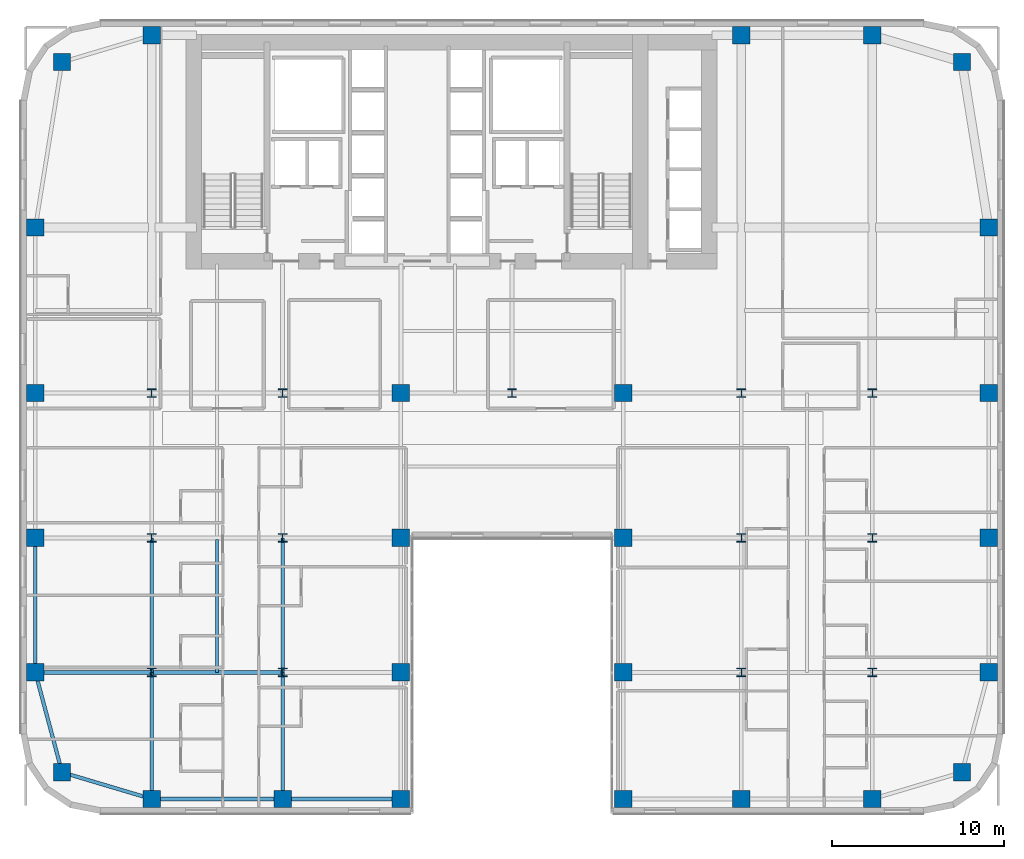
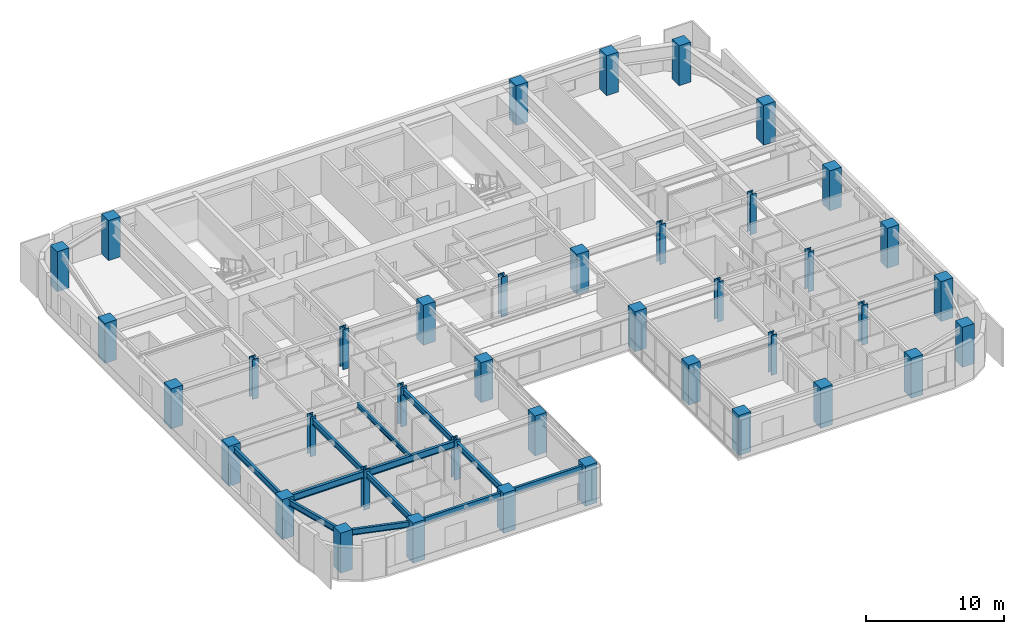
# One storey, part 1 of 25: 40 columns, 12 beams.
"""IFC4 building model written with IfcOpenShell, lengths in metres."""

from ifc_helpers import new_model, si_unit, direction, frame, origin, origin_2d, place, context, subcontext, project, spatial, rectangle, i_section, extrude, source, transform, mapped, material, material_profile, profile_set, type_object, type_shapes, element, save


model = new_model("IFC4")

# Units and contexts
model_context = context("Model", 3, precision=1e-05, world=origin(), true_north=direction((0.0, 1.0)))
body_context = subcontext(model_context, "Body", "Model", "MODEL_VIEW")
ifc_project = project(units=[si_unit("LENGTHUNIT", "METRE"), si_unit("AREAUNIT", "SQUARE_METRE"), si_unit("VOLUMEUNIT", "CUBIC_METRE"), si_unit("PLANEANGLEUNIT", "RADIAN"), si_unit("MASSUNIT", "GRAM", prefix="KILO")], contexts=[model_context])

# Site, building, storey
site_placement = place(None, origin())
site = spatial("IfcSite", under=ifc_project, at=site_placement, CompositionType="ELEMENT")
building_placement = place(site_placement, origin())
building = spatial("IfcBuilding", under=site, at=building_placement, Name="Tolvann Quenvar Hotel", CompositionType="ELEMENT")
storey_placement = place(building_placement, frame((0.0, 0.0, 39.10009765625)))
storey = spatial("IfcBuildingStorey", under=building, at=storey_placement, Name="L08", CompositionType="ELEMENT", Elevation=39.10009765625)

# Columns
ifc_material_1 = material(Name="Concrete S65 (65 MPa)", Category="concrete")
ifc_material_profile_1 = material_profile(ifc_material_1, rectangle(XDim=1.0, YDim=1.0, at=origin_2d()), Name="RC1000x1000")
ifc_profile_set_1 = profile_set([ifc_material_profile_1], Name="Concrete S65 (65 MPa)")
column_type_1 = type_object("IfcColumnType", Name="COL_RC1000", PredefinedType="COLUMN", material=ifc_profile_set_1)
shared_shape_1 = source(origin(), body_context, "Body", "SweptSolid", [
    extrude(rectangle(XDim=1.0, YDim=1.0, at=origin_2d()), origin(), (0.0, 0.0, 1.0), 3.5498046875),
])
type_shapes(column_type_1, [shared_shape_1])
for number, where, z_axis, x_axis, name in (
    (1, (2.39990234375, 2.39990234375, 0.0), (0.0, 0.0, 1.0), (1.0, 0.0, 0.0), "Column B2 (L08)"),
    (2, (0.85009765625, 8.199951171875, 0.0), (0.0, 0.0, 1.0), (1.0, 0.0, 0.0), "Column B3 (L08)"),
    (3, (0.85009765625, 16.0, 0.0), (0.0, 0.0, 1.0), (1.0, 0.0, 0.0), "Column B4 (L08)"),
    (4, (0.85009765625, 24.39990234375, 0.0), (0.0, 0.0, 1.0), (1.0, 0.0, 0.0), "Column B5 (L08)"),
    (5, (7.60009765625, 0.85009765625, 0.0), (0.0, 0.0, 1.0), (1.0, 0.0, 0.0), "Column C2 (L08)"),
    (6, (15.199951171875, 0.85009765625, 0.0), (0.0, 0.0, 1.0), (1.0, 0.0, 0.0), "Column D2 (L08)"),
    (7, (22.050048828125, 0.85009765625, 0.0), (0.0, 0.0, 1.0), (1.0, 0.0, 0.0), "Column E2 (L08)"),
    (8, (22.050048828125, 8.199951171875, 0.0), (0.0, 0.0, 1.0), (1.0, 0.0, 0.0), "Column E3 (L08)"),
    (9, (22.050048828125, 16.0, 0.0), (0.0, 0.0, 1.0), (1.0, 0.0, 0.0), "Column E4 (L08)"),
    (10, (22.050048828125, 24.39990234375, 0.0), (0.0, 0.0, 1.0), (1.0, 0.0, 0.0), "Column E5 (L08)"),
    (11, (34.949951171875, 0.85009765625, 0.0), (0.0, 0.0, 1.0), (1.0, 0.0, 0.0), "Column F2 (L08)"),
    (12, (34.949951171875, 8.199951171875, 0.0), (0.0, 0.0, 1.0), (1.0, 0.0, 0.0), "Column F3 (L08)"),
    (13, (34.949951171875, 16.0, 0.0), (0.0, 0.0, 1.0), (1.0, 0.0, 0.0), "Column F4 (L08)"),
    (14, (34.949951171875, 24.39990234375, 0.0), (0.0, 0.0, 1.0), (1.0, 0.0, 0.0), "Column F5 (L08)"),
    (15, (41.800048828125, 0.85009765625, 0.0), (0.0, 0.0, 1.0), (1.0, 0.0, 0.0), "Column H2 (L08)"),
    (16, (49.39990234375, 0.85009765625, 0.0), (0.0, 0.0, 1.0), (1.0, 0.0, 0.0), "Column I2 (L08)"),
    (17, (54.60009765625, 2.39990234375, 0.0), (0.0, 0.0, 1.0), (1.0, 0.0, 0.0), "Column J2 (L08)"),
    (18, (56.14990234375, 8.199951171875, 0.0), (0.0, 0.0, 1.0), (1.0, 0.0, 0.0), "Column J3 (L08)"),
    (19, (56.14990234375, 16.0, 0.0), (0.0, 0.0, 1.0), (1.0, 0.0, 0.0), "Column J4 (L08)"),
    (20, (56.14990234375, 24.39990234375, 0.0), (0.0, 0.0, 1.0), (1.0, 0.0, 0.0), "Column J5 (L08)"),
    (21, (2.39990234375, 43.60009765625, 0.0), (0.0, 0.0, 1.0), (1.0, 0.0, 0.0), "Column BN (L08)"),
    (22, (7.60009765625, 45.14990234375, 0.0), (0.0, 0.0, 1.0), (1.0, 0.0, 0.0), "Column CN (L08)"),
    (23, (0.85009765625, 34.0, 0.0), (0.0, 0.0, 1.0), (1.0, 0.0, 0.0), "Column BD6 (L08)"),
    (24, (41.800048828125, 45.14990234375, 0.0), (0.0, 0.0, 1.0), (1.0, 0.0, 0.0), "Column HN (L08)"),
    (25, (49.39990234375, 45.14990234375, 0.0), (0.0, 0.0, 1.0), (1.0, 0.0, 0.0), "Column IN (L08)"),
    (26, (54.60009765625, 43.60009765625, 0.0), (0.0, 0.0, 1.0), (1.0, 0.0, 0.0), "Column JN (L08)"),
    (27, (56.14990234375, 34.0, 0.0), (0.0, 0.0, 1.0), (1.0, 0.0, 0.0), "Column JD6 (L08)"),
):
    element("IfcColumn", number, at=place(storey_placement, frame(where, z_axis=z_axis, x_axis=x_axis)), inside=storey, type_object=column_type_1, Name=name, PredefinedType="COLUMN", context=body_context, shape_type="MappedRepresentation", body=[
        mapped(shared_shape_1, transform((0.0, 0.0, 0.0), x_axis=(1.0, 0.0, 0.0), y_axis=(0.0, 1.0, 0.0), z_axis=(0.0, 0.0, 1.0), scale=1.0)),
    ])
ifc_material_2 = material(Name="Steel Grade 350", Category="steel")
ifc_material_profile_2 = material_profile(ifc_material_2, i_section(OverallWidth=0.5, OverallDepth=0.5, WebThickness=0.028076171875, FlangeThickness=0.044921875, at=origin_2d()), Name="500WC440")
ifc_profile_set_2 = profile_set([ifc_material_profile_2], Name="Steel Grade 350")
column_type_2 = type_object("IfcColumnType", Name="COL_500WC440", PredefinedType="COLUMN", material=ifc_profile_set_2)
shared_shape_2 = source(origin(), body_context, "Body", "SweptSolid", [
    extrude(i_section(OverallWidth=0.5, OverallDepth=0.5, WebThickness=0.028076171875, FlangeThickness=0.044921875, at=origin_2d()), origin(), (0.0, 0.0, 1.0), 3.5498046875),
])
type_shapes(column_type_2, [shared_shape_2])
for number, where, z_axis, x_axis, name in (
    (28, (7.60009765625, 8.199951171875, 0.0), (0.0, 0.0, 1.0), (1.0, 0.0, 0.0), "Column C3 (L08)"),
    (29, (7.60009765625, 16.0, 0.0), (0.0, 0.0, 1.0), (1.0, 0.0, 0.0), "Column C4 (L08)"),
    (30, (7.60009765625, 24.39990234375, 0.0), (0.0, 0.0, 1.0), (1.0, 0.0, 0.0), "Column C5 (L08)"),
    (31, (15.199951171875, 8.199951171875, 0.0), (0.0, 0.0, 1.0), (1.0, 0.0, 0.0), "Column D3 (L08)"),
    (32, (15.199951171875, 16.0, 0.0), (0.0, 0.0, 1.0), (1.0, 0.0, 0.0), "Column D4 (L08)"),
    (33, (15.199951171875, 24.39990234375, 0.0), (0.0, 0.0, 1.0), (1.0, 0.0, 0.0), "Column D5 (L08)"),
    (34, (41.800048828125, 8.199951171875, 0.0), (0.0, 0.0, 1.0), (1.0, 0.0, 0.0), "Column H3 (L08)"),
    (35, (41.800048828125, 16.0, 0.0), (0.0, 0.0, 1.0), (1.0, 0.0, 0.0), "Column H4 (L08)"),
    (36, (41.800048828125, 24.39990234375, 0.0), (0.0, 0.0, 1.0), (1.0, 0.0, 0.0), "Column H5 (L08)"),
    (37, (49.39990234375, 8.199951171875, 0.0), (0.0, 0.0, 1.0), (1.0, 0.0, 0.0), "Column I3 (L08)"),
    (38, (49.39990234375, 16.0, 0.0), (0.0, 0.0, 1.0), (1.0, 0.0, 0.0), "Column I4 (L08)"),
    (39, (49.39990234375, 24.39990234375, 0.0), (0.0, 0.0, 1.0), (1.0, 0.0, 0.0), "Column I5 (L08)"),
    (40, (28.5, 24.39990234375, 0.0), (0.0, 0.0, 1.0), (1.0, 0.0, 0.0), "Column M5 (L08)"),
):
    element("IfcColumn", number, at=place(storey_placement, frame(where, z_axis=z_axis, x_axis=x_axis)), inside=storey, type_object=column_type_2, Name=name, PredefinedType="COLUMN", context=body_context, shape_type="MappedRepresentation", body=[
        mapped(shared_shape_2, transform((0.0, 0.0, 0.0), x_axis=(1.0, 0.0, 0.0), y_axis=(0.0, 1.0, 0.0), z_axis=(0.0, 0.0, 1.0), scale=1.0)),
    ])

# Beams
ifc_material_profile_3 = material_profile(ifc_material_2, i_section(OverallWidth=0.208984375, OverallDepth=0.528076171875, WebThickness=0.009521484375, FlangeThickness=0.01318359375, FilletRadius=0.013916015625, at=origin_2d()), Name="530UB82")
ifc_profile_set_3 = profile_set([ifc_material_profile_3], Name="Steel Grade 350")
beam_type_1 = type_object("IfcBeamType", Name="BM_SPAND_530UB82", PredefinedType="SPANDREL", material=ifc_profile_set_3)
shared_shape_3 = source(origin(), body_context, "Body", "SweptSolid", [
    extrude(i_section(OverallWidth=0.208984375, OverallDepth=0.528076171875, WebThickness=0.009521484375, FlangeThickness=0.01318359375, FilletRadius=0.013916015625, at=origin_2d()), origin(), (0.0, 0.0, 1.0), 5.42626953125),
])
beam_1_placement = place(storey_placement, frame((2.39990234375, 2.39990234375, 3.10595703125), z_axis=(0.958344815522, -0.285613750654, 0.0), x_axis=(0.285613750654, 0.958344815522, 0.0)))
element("IfcBeam", 41, at=beam_1_placement, inside=storey, type_object=beam_type_1, Name="BM-L08-EW-2-B2-C2", PredefinedType="SPANDREL", context=body_context, shape_type="MappedRepresentation", body=[
    mapped(shared_shape_3, transform((0.0, 0.0, 0.0), x_axis=(1.0, 0.0, 0.0), y_axis=(0.0, 1.0, 0.0), z_axis=(0.0, 0.0, 1.0), scale=1.0)),
])
shared_shape_4 = source(origin(), body_context, "Body", "SweptSolid", [
    extrude(i_section(OverallWidth=0.208984375, OverallDepth=0.528076171875, WebThickness=0.009521484375, FlangeThickness=0.01318359375, FilletRadius=0.013916015625, at=origin_2d()), origin(), (0.0, 0.0, 1.0), 7.599853515625),
])
beam_2_placement = place(storey_placement, frame((7.60009765625, 0.85009765625, 3.10595703125), z_axis=(1.0, 0.0, 0.0), x_axis=(0.0, 1.0, 0.0)))
element("IfcBeam", 42, at=beam_2_placement, inside=storey, type_object=beam_type_1, Name="BM-L08-EW-2-C2-D2", PredefinedType="SPANDREL", context=body_context, shape_type="MappedRepresentation", body=[
    mapped(shared_shape_4, transform((0.0, 0.0, 0.0), x_axis=(1.0, 0.0, 0.0), y_axis=(0.0, 1.0, 0.0), z_axis=(0.0, 0.0, 1.0), scale=1.0)),
])
shared_shape_5 = source(origin(), body_context, "Body", "SweptSolid", [
    extrude(i_section(OverallWidth=0.208984375, OverallDepth=0.528076171875, WebThickness=0.009521484375, FlangeThickness=0.01318359375, FilletRadius=0.013916015625, at=origin_2d()), origin(), (0.0, 0.0, 1.0), 6.85009765625),
])
beam_3_placement = place(storey_placement, frame((15.199951171875, 0.85009765625, 3.10595703125), z_axis=(1.0, 0.0, 0.0), x_axis=(0.0, 1.0, 0.0)))
element("IfcBeam", 43, at=beam_3_placement, inside=storey, type_object=beam_type_1, Name="BM-L08-EW-2-D2-E2", PredefinedType="SPANDREL", context=body_context, shape_type="MappedRepresentation", body=[
    mapped(shared_shape_5, transform((0.0, 0.0, 0.0), x_axis=(1.0, 0.0, 0.0), y_axis=(0.0, 1.0, 0.0), z_axis=(0.0, 0.0, 1.0), scale=1.0)),
])
ifc_material_profile_4 = material_profile(ifc_material_2, i_section(OverallWidth=0.22900390625, OverallDepth=0.612060546875, WebThickness=0.011962890625, FlangeThickness=0.01953125, FilletRadius=0.013916015625, at=origin_2d()), Name="610UB125")
ifc_profile_set_4 = profile_set([ifc_material_profile_4], Name="Steel Grade 350")
beam_type_2 = type_object("IfcBeamType", Name="BM_GIRD_610UB125", PredefinedType="BEAM", material=ifc_profile_set_4)
shared_shape_6 = source(origin(), body_context, "Body", "SweptSolid", [
    extrude(i_section(OverallWidth=0.22900390625, OverallDepth=0.612060546875, WebThickness=0.011962890625, FlangeThickness=0.01953125, FilletRadius=0.013916015625, at=origin_2d()), origin(), (0.0, 0.0, 1.0), 6.75),
])
beam_4_placement = place(storey_placement, frame((0.85009765625, 8.199951171875, 3.06396484375), z_axis=(1.0, 0.0, 0.0), x_axis=(0.0, 1.0, 0.0)))
element("IfcBeam", 44, at=beam_4_placement, inside=storey, type_object=beam_type_2, Name="BM-L08-EW-3-B3-C3", PredefinedType="BEAM", context=body_context, shape_type="MappedRepresentation", body=[
    mapped(shared_shape_6, transform((0.0, 0.0, 0.0), x_axis=(1.0, 0.0, 0.0), y_axis=(0.0, 1.0, 0.0), z_axis=(0.0, 0.0, 1.0), scale=1.0)),
])
shared_shape_7 = source(origin(), body_context, "Body", "SweptSolid", [
    extrude(i_section(OverallWidth=0.22900390625, OverallDepth=0.612060546875, WebThickness=0.011962890625, FlangeThickness=0.01953125, FilletRadius=0.013916015625, at=origin_2d()), origin(), (0.0, 0.0, 1.0), 7.599853515625),
])
type_shapes(beam_type_2, [shared_shape_6, shared_shape_7])
beam_5_placement = place(storey_placement, frame((7.60009765625, 8.199951171875, 3.06396484375), z_axis=(1.0, 0.0, 0.0), x_axis=(0.0, 1.0, 0.0)))
element("IfcBeam", 45, at=beam_5_placement, inside=storey, type_object=beam_type_2, Name="BM-L08-EW-3-C3-D3", PredefinedType="BEAM", context=body_context, shape_type="MappedRepresentation", body=[
    mapped(shared_shape_7, transform((0.0, 0.0, 0.0), x_axis=(1.0, 0.0, 0.0), y_axis=(0.0, 1.0, 0.0), z_axis=(0.0, 0.0, 1.0), scale=1.0)),
])
shared_shape_8 = source(origin(), body_context, "Body", "SweptSolid", [
    extrude(i_section(OverallWidth=0.208984375, OverallDepth=0.528076171875, WebThickness=0.009521484375, FlangeThickness=0.01318359375, FilletRadius=0.013916015625, at=origin_2d()), origin(), (0.0, 0.0, 1.0), 6.00341796875),
])
beam_6_placement = place(storey_placement, frame((2.39990234375, 2.39990234375, 3.10595703125), z_axis=(-0.258148586649, 0.966105225745, 0.0), x_axis=(-0.966105225745, -0.258148586649, 0.0)))
element("IfcBeam", 46, at=beam_6_placement, inside=storey, type_object=beam_type_1, Name="BM-L08-NS-B2-B3", PredefinedType="SPANDREL", context=body_context, shape_type="MappedRepresentation", body=[
    mapped(shared_shape_8, transform((0.0, 0.0, 0.0), x_axis=(1.0, 0.0, 0.0), y_axis=(0.0, 1.0, 0.0), z_axis=(0.0, 0.0, 1.0), scale=1.0)),
])
shared_shape_9 = source(origin(), body_context, "Body", "SweptSolid", [
    extrude(i_section(OverallWidth=0.208984375, OverallDepth=0.528076171875, WebThickness=0.009521484375, FlangeThickness=0.01318359375, FilletRadius=0.013916015625, at=origin_2d()), origin(), (0.0, 0.0, 1.0), 7.800048828125),
])
type_shapes(beam_type_1, [shared_shape_3, shared_shape_4, shared_shape_5, shared_shape_8, shared_shape_9])
beam_7_placement = place(storey_placement, frame((0.85009765625, 8.199951171875, 3.10595703125), z_axis=(0.0, 1.0, 0.0), x_axis=(-1.0, 0.0, 0.0)))
element("IfcBeam", 47, at=beam_7_placement, inside=storey, type_object=beam_type_1, Name="BM-L08-NS-B3-B4", PredefinedType="SPANDREL", context=body_context, shape_type="MappedRepresentation", body=[
    mapped(shared_shape_9, transform((0.0, 0.0, 0.0), x_axis=(1.0, 0.0, 0.0), y_axis=(0.0, 1.0, 0.0), z_axis=(0.0, 0.0, 1.0), scale=1.0)),
])
ifc_material_profile_5 = material_profile(ifc_material_2, i_section(OverallWidth=0.208984375, OverallDepth=0.532958984375, WebThickness=0.01025390625, FlangeThickness=0.015625, FilletRadius=0.013916015625, at=origin_2d()), Name="530UB92")
ifc_profile_set_5 = profile_set([ifc_material_profile_5], Name="Steel Grade 350")
beam_type_3 = type_object("IfcBeamType", Name="BM_GIRD_530UB92", PredefinedType="BEAM", material=ifc_profile_set_5)
shared_shape_10 = source(origin(), body_context, "Body", "SweptSolid", [
    extrude(i_section(OverallWidth=0.208984375, OverallDepth=0.532958984375, WebThickness=0.01025390625, FlangeThickness=0.015625, FilletRadius=0.013916015625, at=origin_2d()), origin(), (0.0, 0.0, 1.0), 7.349853515625),
])
for number, where, z_axis, x_axis, name in (
    (48, (7.60009765625, 0.85009765625, 3.103515625), (0.0, 1.0, 0.0), (-1.0, 0.0, 0.0), "BM-L08-NS-C2-C3"),
    (49, (15.199951171875, 0.85009765625, 3.103515625), (0.0, 1.0, 0.0), (-1.0, 0.0, 0.0), "BM-L08-NS-D2-D3"),
):
    element("IfcBeam", number, at=place(storey_placement, frame(where, z_axis=z_axis, x_axis=x_axis)), inside=storey, type_object=beam_type_3, Name=name, PredefinedType="BEAM", context=body_context, shape_type="MappedRepresentation", body=[
        mapped(shared_shape_10, transform((0.0, 0.0, 0.0), x_axis=(1.0, 0.0, 0.0), y_axis=(0.0, 1.0, 0.0), z_axis=(0.0, 0.0, 1.0), scale=1.0)),
    ])
shared_shape_11 = source(origin(), body_context, "Body", "SweptSolid", [
    extrude(i_section(OverallWidth=0.208984375, OverallDepth=0.532958984375, WebThickness=0.01025390625, FlangeThickness=0.015625, FilletRadius=0.013916015625, at=origin_2d()), origin(), (0.0, 0.0, 1.0), 7.800048828125),
])
type_shapes(beam_type_3, [shared_shape_10, shared_shape_11])
for number, where, z_axis, x_axis, name in (
    (50, (7.60009765625, 8.199951171875, 3.103515625), (0.0, 1.0, 0.0), (-1.0, 0.0, 0.0), "BM-L08-NS-C3-C4"),
    (51, (15.199951171875, 8.199951171875, 3.103515625), (0.0, 1.0, 0.0), (-1.0, 0.0, 0.0), "BM-L08-NS-D3-D4"),
):
    element("IfcBeam", number, at=place(storey_placement, frame(where, z_axis=z_axis, x_axis=x_axis)), inside=storey, type_object=beam_type_3, Name=name, PredefinedType="BEAM", context=body_context, shape_type="MappedRepresentation", body=[
        mapped(shared_shape_11, transform((0.0, 0.0, 0.0), x_axis=(1.0, 0.0, 0.0), y_axis=(0.0, 1.0, 0.0), z_axis=(0.0, 0.0, 1.0), scale=1.0)),
    ])
ifc_material_profile_6 = material_profile(ifc_material_2, i_section(OverallWidth=0.177978515625, OverallDepth=0.406005859375, WebThickness=0.0078125, FlangeThickness=0.0126953125, FilletRadius=0.011474609375, at=origin_2d()), Name="410UB60")
ifc_profile_set_6 = profile_set([ifc_material_profile_6], Name="Steel Grade 350")
beam_type_4 = type_object("IfcBeamType", Name="BM_JOIST_410UB60", PredefinedType="JOIST", material=ifc_profile_set_6)
shared_shape_12 = source(origin(), body_context, "Body", "SweptSolid", [
    extrude(i_section(OverallWidth=0.177978515625, OverallDepth=0.406005859375, WebThickness=0.0078125, FlangeThickness=0.0126953125, FilletRadius=0.011474609375, at=origin_2d()), origin(), (0.0, 0.0, 1.0), 7.691650390625),
])
type_shapes(beam_type_4, [shared_shape_12])
beam_8_placement = place(storey_placement, frame((11.39990234375, 8.199951171875, 3.1669921875), z_axis=(0.0, 1.0, 0.0), x_axis=(-1.0, 0.0, 0.0)))
element("IfcBeam", 52, at=beam_8_placement, inside=storey, type_object=beam_type_4, Name="BJ-L08-114-82", PredefinedType="JOIST", context=body_context, shape_type="MappedRepresentation", body=[
    mapped(shared_shape_12, transform((0.0, 0.0, 0.0), x_axis=(1.0, 0.0, 0.0), y_axis=(0.0, 1.0, 0.0), z_axis=(0.0, 0.0, 1.0), scale=1.0)),
])

save(model, "model.ifc")
